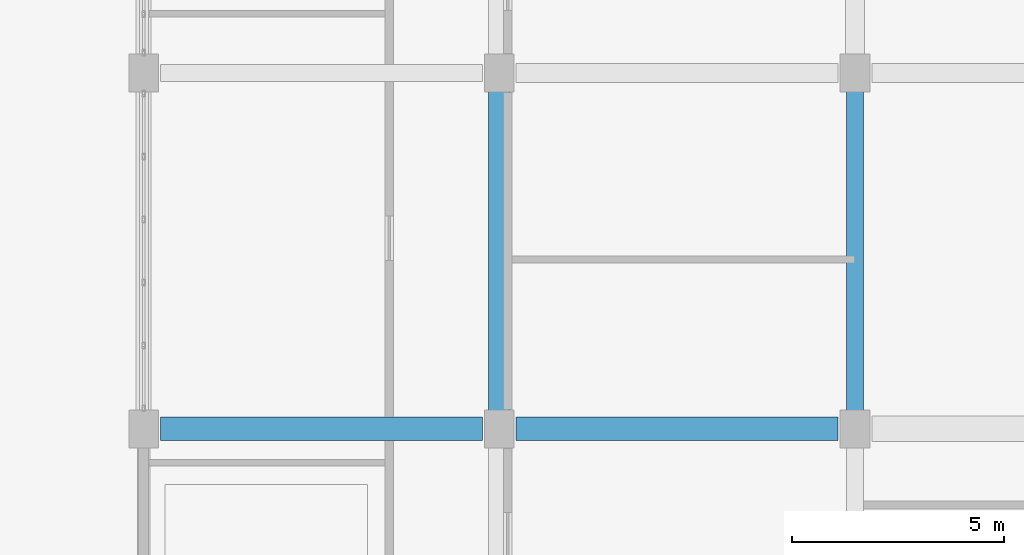
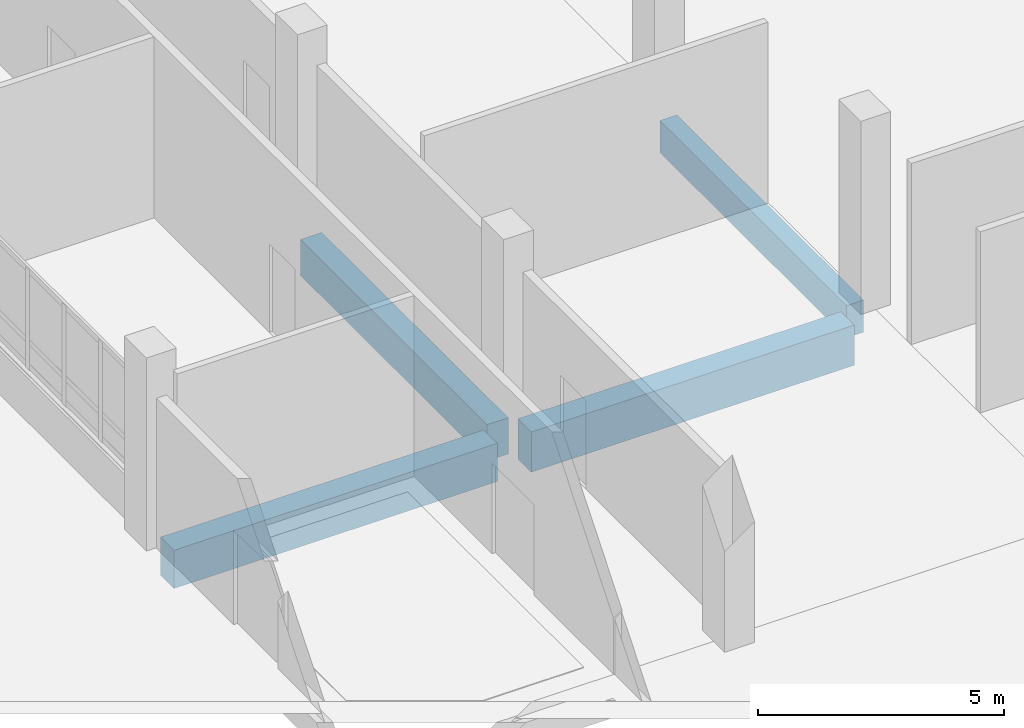
# One storey, part 28 of 95: 4 beams.
"""IFC4 building model written with IfcOpenShell, lengths in metres."""

from ifc_helpers import new_model, si_unit, direction, frame, origin, origin_2d, place, context, subcontext, project, spatial, rectangle, extrude, material, material_profile, profile_set, type_object, element, save


model = new_model("IFC4")

# Units and contexts
model_context = context("Model", 3, precision=1e-05, world=origin(), true_north=direction((0.0, 1.0)))
body_context = subcontext(model_context, "Body", "Model", "MODEL_VIEW")
ifc_project = project(units=[si_unit("LENGTHUNIT", "METRE"), si_unit("AREAUNIT", "SQUARE_METRE"), si_unit("VOLUMEUNIT", "CUBIC_METRE"), si_unit("PLANEANGLEUNIT", "RADIAN"), si_unit("MASSUNIT", "GRAM", prefix="KILO")], contexts=[model_context])

# Site, building, storey
site_placement = place(None, origin())
site = spatial("IfcSite", under=ifc_project, at=site_placement, CompositionType="ELEMENT")
building_placement = place(site_placement, origin())
building = spatial("IfcBuilding", under=site, at=building_placement, Name="Vireocrest Preparatory School", CompositionType="ELEMENT")
storey_placement = place(building_placement, origin())
storey = spatial("IfcBuildingStorey", under=building, at=storey_placement, Name="L00", CompositionType="ELEMENT", Elevation=0.0)

# Beams
ifc_material = material(Name="Concrete 40 MPa", Category="concrete")
ifc_material_profile_1 = material_profile(ifc_material, rectangle(XDim=0.550048828125, YDim=1.0, at=origin_2d()), Name="RC 550x1000")
ifc_profile_set_1 = profile_set([ifc_material_profile_1], Name="Concrete 40 MPa")
beam_type_1 = type_object("IfcBeamType", Name="RC Core Coupling Beam 550x1000", PredefinedType="BEAM", material=ifc_profile_set_1)
beam_1_placement = place(storey_placement, frame((101.199951171875, 27.0, -0.85009765625), z_axis=(1.0, 0.0, 0.0), x_axis=(0.0, 1.0, 0.0)))
element("IfcBeam", 1, at=beam_1_placement, inside=storey, type_object=beam_type_1, Name="Primary Girder B18 L00-0034", PredefinedType="BEAM", context=body_context, shape_type="SweptSolid", body=[
    extrude(rectangle(XDim=0.550048828125, YDim=1.0, at=origin_2d()), origin(), (0.0, 0.0, 1.0), 7.60009765625),
])
ifc_material_profile_2 = material_profile(ifc_material, rectangle(XDim=0.39990234375, YDim=0.800048828125, at=origin_2d()), Name="RC 400x800")
ifc_profile_set_2 = profile_set([ifc_material_profile_2], Name="Concrete 40 MPa")
beam_type_2 = type_object("IfcBeamType", Name="RC Library Reading Girder 400x800", PredefinedType="BEAM", material=ifc_profile_set_2)
beam_2_placement = place(storey_placement, frame((109.199951171875, 27.39990234375, -0.75), z_axis=(0.0, 1.0, 0.0), x_axis=(-1.0, 0.0, 0.0)))
element("IfcBeam", 2, at=beam_2_placement, inside=storey, type_object=beam_type_2, Name="Primary Girder B10 L00-0219", PredefinedType="BEAM", context=body_context, shape_type="SweptSolid", body=[
    extrude(rectangle(XDim=0.39990234375, YDim=0.800048828125, at=origin_2d()), origin(), (0.0, 0.0, 1.0), 7.60009765625),
])
ifc_material_profile_3 = material_profile(ifc_material, rectangle(XDim=0.5, YDim=0.89990234375, at=origin_2d()), Name="RC 500x900")
ifc_profile_set_3 = profile_set([ifc_material_profile_3], Name="Concrete 40 MPa")
beam_type_3 = type_object("IfcBeamType", Name="RC Podium Girder 500x900", PredefinedType="BEAM", material=ifc_profile_set_3)
beam_3_placement = place(storey_placement, frame((100.800048828125, 27.39990234375, -0.800048828125), z_axis=(0.0, 1.0, 0.0), x_axis=(-1.0, 0.0, 0.0)))
element("IfcBeam", 3, at=beam_3_placement, inside=storey, type_object=beam_type_3, Name="Primary Girder B15 L00-0206", PredefinedType="BEAM", context=body_context, shape_type="SweptSolid", body=[
    extrude(rectangle(XDim=0.5, YDim=0.89990234375, at=origin_2d()), origin(), (0.0, 0.0, 1.0), 7.60009765625),
])
ifc_material_profile_4 = material_profile(ifc_material, rectangle(XDim=0.550048828125, YDim=0.949951171875, at=origin_2d()), Name="RC 550x950")
ifc_profile_set_4 = profile_set([ifc_material_profile_4], Name="Concrete 40 MPa")
beam_type_4 = type_object("IfcBeamType", Name="RC Setback Edge Girder 550x950", PredefinedType="BEAM", material=ifc_profile_set_4)
beam_4_placement = place(storey_placement, frame((92.800048828125, 27.0, -0.824951171875), z_axis=(1.0, 0.0, 0.0), x_axis=(0.0, 1.0, 0.0)))
element("IfcBeam", 4, at=beam_4_placement, inside=storey, type_object=beam_type_4, Name="Primary Girder B17 L00-0033", PredefinedType="BEAM", context=body_context, shape_type="SweptSolid", body=[
    extrude(rectangle(XDim=0.550048828125, YDim=0.949951171875, at=origin_2d()), origin(), (0.0, 0.0, 1.0), 7.599853515625),
])

save(model, "model.ifc")
